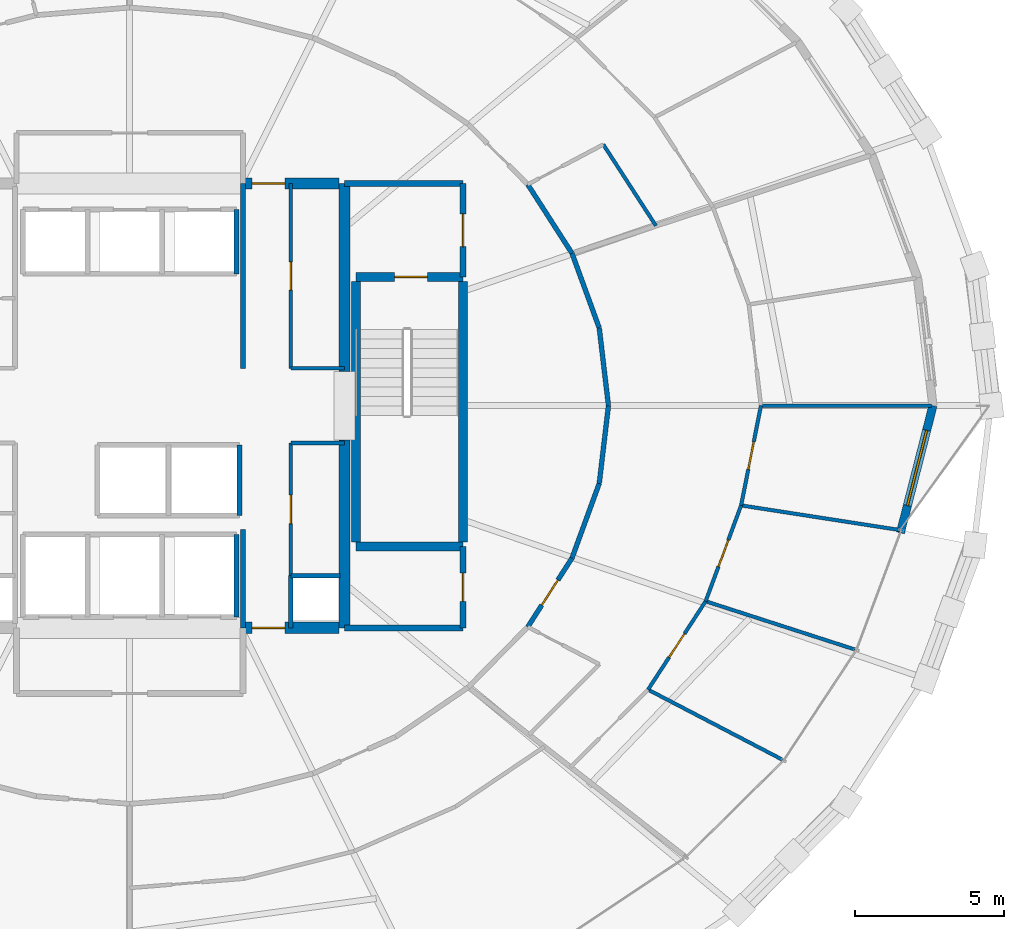
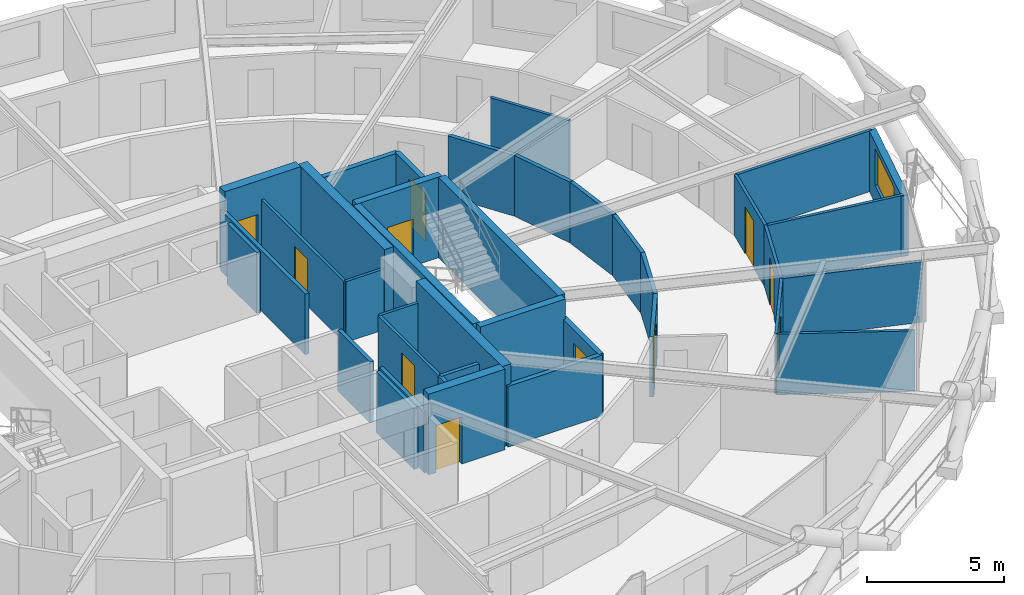
# One storey, part 17 of 23: 38 walls, 11 doors, 1 window, 12 openings.
"""IFC4 building model written with IfcOpenShell, lengths in metres."""

from ifc_helpers import new_model, si_unit, direction, frame, frame_2d, origin, place, context, subcontext, project, spatial, rectangle, extrude, material, layer, layer_set, type_object, element, fill, save


model = new_model("IFC4")

# Units and contexts
model_context = context("Model", 3, precision=1e-05, world=origin(), true_north=direction((0.0, 1.0)))
body_context = subcontext(model_context, "Body", "Model", "MODEL_VIEW")
ifc_project = project(units=[si_unit("LENGTHUNIT", "METRE"), si_unit("AREAUNIT", "SQUARE_METRE"), si_unit("VOLUMEUNIT", "CUBIC_METRE"), si_unit("PLANEANGLEUNIT", "RADIAN"), si_unit("MASSUNIT", "GRAM", prefix="KILO")], contexts=[model_context])

# Site, building, storey
site_placement = place(None, origin())
site = spatial("IfcSite", under=ifc_project, at=site_placement, CompositionType="ELEMENT")
building_placement = place(site_placement, origin())
building = spatial("IfcBuilding", under=site, at=building_placement, Name="Veldorina Hangang Commons", CompositionType="ELEMENT")
storey_placement = place(building_placement, frame((0.0, 0.0, 95.199951171875)))
storey = spatial("IfcBuildingStorey", under=building, at=storey_placement, Name="L24", CompositionType="ELEMENT", Elevation=95.199951171875)

# Walls
ifc_material_1 = material(Name="Concrete C70/85", Category="concrete")
ifc_layer_1 = layer(ifc_material_1, 0.3798828125)
ifc_layer_set_1 = layer_set([ifc_layer_1], Name="Concrete C70/85")
wall_type_1 = type_object("IfcWallType", Name="CW-RC380-C70", PredefinedType="SHEAR", material=ifc_layer_set_1)
for number, where, z_axis, x_axis, name in (
    (1, (39.199951171875, 16.550048828125, 0.0), (0.0, 0.0, 1.0), (0.0, 1.0, 0.0), "L24 E south core shear wall"),
    (2, (39.199951171875, 25.14990234375, 0.0), (0.0, 0.0, 1.0), (0.0, 1.0, 0.0), "L24 E north core shear wall"),
):
    element("IfcWall", number, at=place(storey_placement, frame(where, z_axis=z_axis, x_axis=x_axis)), inside=storey, type_object=wall_type_1, Name=name, PredefinedType="SHEAR", context=body_context, shape_type="SweptSolid", body=[
        extrude(rectangle(XDim=6.300048828125, YDim=0.3798828125, at=frame_2d((3.14990234375, 0.0))), origin(), (0.0, 0.0, 1.0), 3.60009765625),
    ])

# Wall, opening, door
wall_1_placement = place(storey_placement, frame((35.800048828125, 16.550048828125, 0.0), z_axis=(0.0, 0.0, 1.0), x_axis=(1.0, 0.0, 0.0)))
wall_1 = element("IfcWall", 3, at=wall_1_placement, inside=storey, type_object=wall_type_1, Name="L24 south-east core shear wall", PredefinedType="SHEAR", context=body_context, shape_type="SweptSolid", body=[
    extrude(rectangle(XDim=3.2099609375, YDim=0.3798828125, at=frame_2d((1.60498046875, 0.0))), origin(), (0.0, 0.0, 1.0), 3.60009765625),
])
opening_1_placement = place(wall_1_placement, frame((0.300048828125, 0.0, 0.0)))
opening_1 = element("IfcOpeningElement", 4, at=opening_1_placement, cuts=wall_1, Name="Opening D-08", PredefinedType="OPENING", context=body_context, shape_type="SweptSolid", body=[
    extrude(rectangle(XDim=1.10009765625, YDim=2.10009765625, at=frame_2d((0.550048828125, 1.050048828125))), frame((0.0, 0.199951171875, 0.0), z_axis=(0.0, -1.0, 0.0), x_axis=(1.0, 0.0, 0.0)), (0.0, 0.0, 1.0), 0.39990234375),
])
ifc_material_2 = material(Name="Steel Fire-Rated Smoke Seal", Category="steel")
door_type_1 = type_object("IfcDoorType", Name="DR-FIRE-1100", OperationType="SINGLE_SWING_RIGHT", PredefinedType="DOOR", material=ifc_material_2)
door_1_placement = place(opening_1_placement, origin())
door_1 = element("IfcDoor", 5, at=door_1_placement, inside=storey, type_object=door_type_1, Name="L24 central lift lobby south corridor door", OperationType="SINGLE_SWING_RIGHT", OverallHeight=2.10009765625, OverallWidth=1.10009765625, PredefinedType="DOOR", context=body_context, shape_type="SweptSolid", body=[
    extrude(rectangle(XDim=1.10009765625, YDim=2.10009765625, at=frame_2d((0.550048828125, 1.050048828125))), frame((0.0, 0.02490234375, 0.0), z_axis=(0.0, -1.0, 0.0), x_axis=(1.0, 0.0, 0.0)), (0.0, 0.0, 1.0), 0.050048828125),
])
fill(opening_1, door_1)

wall_2_placement = place(storey_placement, frame((35.800048828125, 31.449951171875, 0.0), z_axis=(0.0, 0.0, 1.0), x_axis=(1.0, 0.0, 0.0)))
wall_2 = element("IfcWall", 6, at=wall_2_placement, inside=storey, type_object=wall_type_1, Name="L24 north-east core shear wall", PredefinedType="SHEAR", context=body_context, shape_type="SweptSolid", body=[
    extrude(rectangle(XDim=3.2099609375, YDim=0.3798828125, at=frame_2d((1.60498046875, 0.0))), origin(), (0.0, 0.0, 1.0), 3.60009765625),
])
opening_2_placement = place(wall_2_placement, frame((0.300048828125, 0.0, 0.0)))
opening_2 = element("IfcOpeningElement", 7, at=opening_2_placement, cuts=wall_2, Name="Opening D-08", PredefinedType="OPENING", context=body_context, shape_type="SweptSolid", body=[
    extrude(rectangle(XDim=1.10009765625, YDim=2.10009765625, at=frame_2d((0.550048828125, 1.050048828125))), frame((0.0, 0.199951171875, 0.0), z_axis=(0.0, -1.0, 0.0), x_axis=(1.0, 0.0, 0.0)), (0.0, 0.0, 1.0), 0.39990234375),
])
door_2_placement = place(opening_2_placement, origin())
door_2 = element("IfcDoor", 8, at=door_2_placement, inside=storey, type_object=door_type_1, Name="L24 central lift lobby north corridor door", OperationType="SINGLE_SWING_LEFT", OverallHeight=2.10009765625, OverallWidth=1.10009765625, PredefinedType="DOOR", context=body_context, shape_type="SweptSolid", body=[
    extrude(rectangle(XDim=1.10009765625, YDim=2.10009765625, at=frame_2d((0.550048828125, 1.050048828125))), frame((0.0, 0.02490234375, 0.0), z_axis=(0.0, -1.0, 0.0), x_axis=(1.0, 0.0, 0.0)), (0.0, 0.0, 1.0), 0.050048828125),
])
fill(opening_2, door_2)

# Wall, opening, window
ifc_material_3 = material(Name="Stone Roman Travertine", Category="masonry")
ifc_layer_2 = layer(ifc_material_3, 0.280029296875)
ifc_layer_set_2 = layer_set([ifc_layer_2], Name="Stone Roman Travertine")
wall_type_2 = type_object("IfcWallType", Name="EW-TRAV-280", PredefinedType="STANDARD", material=ifc_layer_set_2)
wall_3_placement = place(storey_placement, frame((57.839599609375, 19.735595703125, 0.0), z_axis=(0.0, 0.0, 1.0), x_axis=(0.247557191203, 0.968873282263, 0.0)))
wall_3 = element("IfcWall", 9, at=wall_3_placement, inside=storey, type_object=wall_type_2, Name="L24 travertine facade wall 31", PredefinedType="STANDARD", context=body_context, shape_type="SweptSolid", body=[
    extrude(rectangle(XDim=4.4013671875, YDim=0.280029296875, at=frame_2d((2.20068359375, 0.0))), origin(), (0.0, 0.0, 1.0), 2.7099609375),
])
opening_3_placement = place(wall_3_placement, frame((0.94677734375, 0.0, 0.800048828125)))
opening_3 = element("IfcOpeningElement", 10, at=opening_3_placement, cuts=wall_3, Name="Opening W-02", PredefinedType="OPENING", context=body_context, shape_type="SweptSolid", body=[
    extrude(rectangle(XDim=2.60009765625, YDim=1.64990234375, at=frame_2d((1.300048828125, 0.824951171875))), frame((0.0, 0.14990234375, 0.0), z_axis=(0.0, -1.0, 0.0), x_axis=(1.0, 0.0, 0.0)), (0.0, 0.0, 1.0), 0.300048828125),
])
ifc_material_4 = material(Name="Glass Low-E Triple IGU", Category="glass")
window_type = type_object("IfcWindowType", Name="WIN-TWR-2600", PartitioningType="SINGLE_PANEL", PredefinedType="WINDOW", material=ifc_material_4)
window_placement = place(opening_3_placement, origin())
window = element("IfcWindow", 11, at=window_placement, inside=storey, type_object=window_type, Name="L24 facade window 31", OverallHeight=1.64990234375, OverallWidth=2.60009765625, PartitioningType="SINGLE_PANEL", PredefinedType="WINDOW", context=body_context, shape_type="SweptSolid", body=[
    extrude(rectangle(XDim=2.60009765625, YDim=1.64990234375, at=frame_2d((1.300048828125, 0.824951171875))), frame((0.0, 0.030029296875, 0.0), z_axis=(0.0, -1.0, 0.0), x_axis=(1.0, 0.0, 0.0)), (0.0, 0.0, 1.0), 0.06005859375),
])
fill(opening_3, window)

# Walls
ifc_material_5 = material(Name="Concrete C50/60", Category="concrete")
ifc_layer_3 = layer(ifc_material_5, 0.300048828125)
ifc_layer_set_3 = layer_set([ifc_layer_3], Name="Concrete C50/60")
wall_type_3 = type_object("IfcWallType", Name="SW-STAIR-300", PredefinedType="SHEAR", material=ifc_layer_set_3)
for number, where, z_axis, x_axis, name in (
    (12, (43.179931640625, 19.429931640625, 0.0), (0.0, 0.0, 1.0), (0.0, 1.0, 0.0), "L24 ST2 outer stair shear wall"),
    (13, (39.580078125, 19.429931640625, 0.0), (0.0, 0.0, 1.0), (0.0, 1.0, 0.0), "L24 ST2 inner stair shear wall"),
):
    element("IfcWall", number, at=place(storey_placement, frame(where, z_axis=z_axis, x_axis=x_axis)), inside=storey, type_object=wall_type_3, Name=name, PredefinedType="SHEAR", context=body_context, shape_type="SweptSolid", body=[
        extrude(rectangle(XDim=8.739990234375, YDim=0.300048828125, at=frame_2d((4.3701171875, 0.0))), origin(), (0.0, 0.0, 1.0), 3.60009765625),
    ])
wall_4_placement = place(storey_placement, frame((39.580078125, 19.280029296875, 0.0), z_axis=(0.0, 0.0, 1.0), x_axis=(1.0, 0.0, 0.0)))
element("IfcWall", 14, at=wall_4_placement, inside=storey, type_object=wall_type_3, Name="L24 ST2 south stair shear wall", PredefinedType="SHEAR", context=body_context, shape_type="SweptSolid", body=[
    extrude(rectangle(XDim=3.599853515625, YDim=0.300048828125, at=frame_2d((1.7998046875, 0.0))), origin(), (0.0, 0.0, 1.0), 3.60009765625),
])

# Wall, opening, door
wall_5_placement = place(storey_placement, frame((39.580078125, 28.320068359375, 0.0), z_axis=(0.0, 0.0, 1.0), x_axis=(1.0, 0.0, 0.0)))
wall_5 = element("IfcWall", 15, at=wall_5_placement, inside=storey, type_object=wall_type_3, Name="L24 ST2 north stair shear wall", PredefinedType="SHEAR", context=body_context, shape_type="SweptSolid", body=[
    extrude(rectangle(XDim=3.599853515625, YDim=0.300048828125, at=frame_2d((1.7998046875, 0.0))), origin(), (0.0, 0.0, 1.0), 3.60009765625),
])
opening_4_placement = place(wall_5_placement, frame((1.300048828125, 0.0, 0.0)))
opening_4 = element("IfcOpeningElement", 16, at=opening_4_placement, cuts=wall_5, Name="Opening D-08", PredefinedType="OPENING", context=body_context, shape_type="SweptSolid", body=[
    extrude(rectangle(XDim=1.10009765625, YDim=2.10009765625, at=frame_2d((0.550048828125, 1.050048828125))), frame((0.0, 0.16015625, 0.0), z_axis=(0.0, -1.0, 0.0), x_axis=(1.0, 0.0, 0.0)), (0.0, 0.0, 1.0), 0.320068359375),
])
door_3_placement = place(opening_4_placement, origin())
door_3 = element("IfcDoor", 17, at=door_3_placement, inside=storey, type_object=door_type_1, Name="L24 Special Escape Stair ST-2 door", OperationType="SINGLE_SWING_RIGHT", OverallHeight=2.10009765625, OverallWidth=1.10009765625, PredefinedType="DOOR", context=body_context, shape_type="SweptSolid", body=[
    extrude(rectangle(XDim=1.10009765625, YDim=2.10009765625, at=frame_2d((0.550048828125, 1.050048828125))), frame((0.0, 0.02490234375, 0.0), z_axis=(0.0, -1.0, 0.0), x_axis=(1.0, 0.0, 0.0)), (0.0, 0.0, 1.0), 0.050048828125),
])
fill(opening_4, door_3)

# Walls
ifc_material_6 = material(Name="Gypsum Fire-Rated Twin Stud Wall", Category="gypsum")
ifc_layer_4 = layer(ifc_material_6, 0.159912109375)
ifc_layer_set_4 = layer_set([ifc_layer_4], Name="Gypsum Fire-Rated Twin Stud Wall")
wall_type_4 = type_object("IfcWallType", Name="WL-FIRE-160", PredefinedType="SOLIDWALL", material=ifc_layer_set_4)
wall_6_placement = place(storey_placement, frame((35.800048828125, 16.550048828125, 0.0), z_axis=(0.0, 0.0, 1.0), x_axis=(0.0, 1.0, 0.0)))
element("IfcWall", 18, at=wall_6_placement, inside=storey, type_object=wall_type_4, Name="L24 Lift passage SW wall 009", PredefinedType="SOLIDWALL", context=body_context, shape_type="SweptSolid", body=[
    extrude(rectangle(XDim=3.300048828125, YDim=0.159912109375, at=frame_2d((1.64990234375, 0.0))), origin(), (0.0, 0.0, 1.0), 2.7099609375),
])
wall_7_placement = place(storey_placement, frame((37.39990234375, 16.550048828125, 0.0), z_axis=(0.0, 0.0, 1.0), x_axis=(0.0, 1.0, 0.0)))
element("IfcWall", 19, at=wall_7_placement, inside=storey, type_object=wall_type_4, Name="L24 Lift passage SE stub 010", PredefinedType="SOLIDWALL", context=body_context, shape_type="SweptSolid", body=[
    extrude(rectangle(XDim=1.75, YDim=0.159912109375, at=frame_2d((0.875, 0.0))), origin(), (0.0, 0.0, 1.0), 2.7099609375),
])
wall_8_placement = place(storey_placement, frame((35.800048828125, 25.25, 0.0), z_axis=(0.0, 0.0, 1.0), x_axis=(0.0, 1.0, 0.0)))
element("IfcWall", 20, at=wall_8_placement, inside=storey, type_object=wall_type_4, Name="L24 Lift passage NW wall 011", PredefinedType="SOLIDWALL", context=body_context, shape_type="SweptSolid", body=[
    extrude(rectangle(XDim=6.199951171875, YDim=0.159912109375, at=frame_2d((3.10009765625, 0.0))), origin(), (0.0, 0.0, 1.0), 2.7099609375),
])
wall_9_placement = place(storey_placement, frame((35.580078125, 28.419921875, 0.0), z_axis=(0.0, 0.0, 1.0), x_axis=(0.0, 1.0, 0.0)))
element("IfcWall", 21, at=wall_9_placement, inside=storey, type_object=wall_type_4, Name="L24 PL-L3 east shaft wall 020", PredefinedType="SOLIDWALL", context=body_context, shape_type="SweptSolid", body=[
    extrude(rectangle(XDim=2.16015625, YDim=0.159912109375, at=frame_2d((1.080078125, 0.0))), origin(), (0.0, 0.0, 1.0), 2.7099609375),
])
wall_10_placement = place(storey_placement, frame((35.679931640625, 20.320068359375, 0.0), z_axis=(0.0, 0.0, 1.0), x_axis=(0.0, 1.0, 0.0)))
element("IfcWall", 22, at=wall_10_placement, inside=storey, type_object=wall_type_4, Name="L24 SL-2 east shaft wall 025", PredefinedType="SOLIDWALL", context=body_context, shape_type="SweptSolid", body=[
    extrude(rectangle(XDim=2.35986328125, YDim=0.159912109375, at=frame_2d((1.179931640625, 0.0))), origin(), (0.0, 0.0, 1.0), 2.7099609375),
])
wall_11_placement = place(storey_placement, frame((35.580078125, 16.919921875, 0.0), z_axis=(0.0, 0.0, 1.0), x_axis=(0.0, 1.0, 0.0)))
element("IfcWall", 23, at=wall_11_placement, inside=storey, type_object=wall_type_4, Name="L24 EVL-1 east shaft wall 031", PredefinedType="SOLIDWALL", context=body_context, shape_type="SweptSolid", body=[
    extrude(rectangle(XDim=2.760009765625, YDim=0.159912109375, at=frame_2d((1.3798828125, 0.0))), origin(), (0.0, 0.0, 1.0), 2.7099609375),
])
wall_12_placement = place(storey_placement, frame((37.39990234375, 18.300048828125, 0.0), z_axis=(0.0, 0.0, 1.0), x_axis=(1.0, 0.0, 0.0)))
element("IfcWall", 24, at=wall_12_placement, inside=storey, type_object=wall_type_4, Name="L24 Plumbing riser wall 037", PredefinedType="SOLIDWALL", context=body_context, shape_type="SweptSolid", body=[
    extrude(rectangle(XDim=1.650146484375, YDim=0.159912109375, at=frame_2d((0.8251953125, 0.0))), origin(), (0.0, 0.0, 1.0), 2.7099609375),
])
wall_13_placement = place(storey_placement, frame((48.050048828125, 24.0, 0.0), z_axis=(0.0, 0.0, 1.0), x_axis=(-0.117570353762, 0.993064555765, 0.0)))
element("IfcWall", 25, at=wall_13_placement, inside=storey, type_object=wall_type_4, Name="L24 Corridor outer wall 00 048", PredefinedType="SOLIDWALL", context=body_context, shape_type="SweptSolid", body=[
    extrude(rectangle(XDim=2.622802734375, YDim=0.159912109375, at=frame_2d((1.3115234375, 0.0))), origin(), (0.0, 0.0, 1.0), 2.7099609375),
])
wall_14_placement = place(storey_placement, frame((47.74169921875, 26.6044921875, 0.0), z_axis=(0.0, 0.0, 1.0), x_axis=(-0.342617982381, 0.939474809747, 0.0)))
element("IfcWall", 26, at=wall_14_placement, inside=storey, type_object=wall_type_4, Name="L24 Corridor outer wall 01 049", PredefinedType="SOLIDWALL", context=body_context, shape_type="SweptSolid", body=[
    extrude(rectangle(XDim=2.665771484375, YDim=0.159912109375, at=frame_2d((1.3330078125, 0.0))), origin(), (0.0, 0.0, 1.0), 2.7099609375),
])
wall_15_placement = place(storey_placement, frame((46.828369140625, 29.10888671875, 0.0), z_axis=(0.0, 0.0, 1.0), x_axis=(-0.540595670038, 0.841282545603, 0.0)))
element("IfcWall", 27, at=wall_15_placement, inside=storey, type_object=wall_type_4, Name="L24 Corridor outer wall 02 050", PredefinedType="SOLIDWALL", context=body_context, shape_type="SweptSolid", body=[
    extrude(rectangle(XDim=2.74365234375, YDim=0.159912109375, at=frame_2d((1.371826171875, 0.0))), origin(), (0.0, 0.0, 1.0), 2.7099609375),
])

# Wall, opening, door
wall_16_placement = place(storey_placement, frame((45.34521484375, 16.5830078125, 0.0), z_axis=(0.0, 0.0, 1.0), x_axis=(0.540595670038, 0.841282545603, 0.0)))
wall_16 = element("IfcWall", 28, at=wall_16_placement, inside=storey, type_object=wall_type_4, Name="L24 Corridor outer wall 29 077", PredefinedType="SOLIDWALL", context=body_context, shape_type="SweptSolid", body=[
    extrude(rectangle(XDim=2.74365234375, YDim=0.159912109375, at=frame_2d((1.371826171875, 0.0))), origin(), (0.0, 0.0, 1.0), 2.7099609375),
])
opening_5_placement = place(wall_16_placement, frame((0.871826171875, 0.0, 0.0)))
opening_5 = element("IfcOpeningElement", 29, at=opening_5_placement, cuts=wall_16, Name="Opening D-06", PredefinedType="OPENING", context=body_context, shape_type="SweptSolid", body=[
    extrude(rectangle(XDim=1.0, YDim=2.10009765625, at=frame_2d((0.5, 1.050048828125))), frame((0.0, 0.08984375, 0.0), z_axis=(0.0, -1.0, 0.0), x_axis=(1.0, 0.0, 0.0)), (0.0, 0.0, 1.0), 0.179931640625),
])
ifc_material_7 = material(Name="Timber Fire-Rated Entrance Core", Category="wood")
door_type_2 = type_object("IfcDoorType", Name="DR-UNIT-1000", OperationType="SINGLE_SWING_LEFT", PredefinedType="DOOR", material=ifc_material_7)
door_4_placement = place(opening_5_placement, origin())
door_4 = element("IfcDoor", 30, at=door_4_placement, inside=storey, type_object=door_type_2, Name="L24 Cluster 2 entrance door 023", OperationType="SINGLE_SWING_LEFT", OverallHeight=2.10009765625, OverallWidth=1.0, PredefinedType="DOOR", context=body_context, shape_type="SweptSolid", body=[
    extrude(rectangle(XDim=1.0, YDim=2.10009765625, at=frame_2d((0.5, 1.050048828125))), frame((0.0, 0.02490234375, 0.0), z_axis=(0.0, -1.0, 0.0), x_axis=(1.0, 0.0, 0.0)), (0.0, 0.0, 1.0), 0.050048828125),
])
fill(opening_5, door_4)

# Walls
wall_17_placement = place(storey_placement, frame((46.828369140625, 18.89111328125, 0.0), z_axis=(0.0, 0.0, 1.0), x_axis=(0.342617982381, 0.939474809747, 0.0)))
element("IfcWall", 31, at=wall_17_placement, inside=storey, type_object=wall_type_4, Name="L24 Corridor outer wall 30 078", PredefinedType="SOLIDWALL", context=body_context, shape_type="SweptSolid", body=[
    extrude(rectangle(XDim=2.665771484375, YDim=0.159912109375, at=frame_2d((1.3330078125, 0.0))), origin(), (0.0, 0.0, 1.0), 2.7099609375),
])
wall_18_placement = place(storey_placement, frame((47.74169921875, 21.3955078125, 0.0), z_axis=(0.0, 0.0, 1.0), x_axis=(0.117570353762, 0.993064555765, 0.0)))
element("IfcWall", 32, at=wall_18_placement, inside=storey, type_object=wall_type_4, Name="L24 Corridor outer wall 31 079", PredefinedType="SOLIDWALL", context=body_context, shape_type="SweptSolid", body=[
    extrude(rectangle(XDim=2.622802734375, YDim=0.159912109375, at=frame_2d((1.3115234375, 0.0))), origin(), (0.0, 0.0, 1.0), 2.7099609375),
])

# Wall, opening, door
ifc_material_8 = material(Name="Concrete Blockwork Fire Wall C30/37", Category="masonry")
ifc_layer_5 = layer(ifc_material_8, 0.199951171875)
ifc_layer_set_5 = layer_set([ifc_layer_5], Name="Concrete Blockwork Fire Wall C30/37")
wall_type_5 = type_object("IfcWallType", Name="WL-FIRE-200", PredefinedType="SOLIDWALL", material=ifc_layer_set_5)
wall_19_placement = place(storey_placement, frame((43.179931640625, 28.320068359375, 0.0), z_axis=(0.0, 0.0, 1.0), x_axis=(0.0, 1.0, 0.0)))
wall_19 = element("IfcWall", 33, at=wall_19_placement, inside=storey, type_object=wall_type_5, Name="L24 East vestibule outer wall 003", PredefinedType="SOLIDWALL", context=body_context, shape_type="SweptSolid", body=[
    extrude(rectangle(XDim=3.1298828125, YDim=0.199951171875, at=frame_2d((1.56494140625, 0.0))), origin(), (0.0, 0.0, 1.0), 2.7099609375),
])
opening_6_placement = place(wall_19_placement, frame((1.014892578125, 0.0, 0.0)))
opening_6 = element("IfcOpeningElement", 34, at=opening_6_placement, cuts=wall_19, Name="Opening D-08", PredefinedType="OPENING", context=body_context, shape_type="SweptSolid", body=[
    extrude(rectangle(XDim=1.10009765625, YDim=2.10009765625, at=frame_2d((0.550048828125, 1.050048828125))), frame((0.0, 0.10986328125, 0.0), z_axis=(0.0, -1.0, 0.0), x_axis=(1.0, 0.0, 0.0)), (0.0, 0.0, 1.0), 0.219970703125),
])
door_5_placement = place(opening_6_placement, origin())
door_5 = element("IfcDoor", 35, at=door_5_placement, inside=storey, type_object=door_type_1, Name="L24 East vestibule east door 002", OperationType="SINGLE_SWING_RIGHT", OverallHeight=2.10009765625, OverallWidth=1.10009765625, PredefinedType="DOOR", context=body_context, shape_type="SweptSolid", body=[
    extrude(rectangle(XDim=1.10009765625, YDim=2.10009765625, at=frame_2d((0.550048828125, 1.050048828125))), frame((0.0, 0.02490234375, 0.0), z_axis=(0.0, -1.0, 0.0), x_axis=(1.0, 0.0, 0.0)), (0.0, 0.0, 1.0), 0.050048828125),
])
fill(opening_6, door_5)

# Wall
wall_20_placement = place(storey_placement, frame((39.199951171875, 31.449951171875, 0.0), z_axis=(0.0, 0.0, 1.0), x_axis=(1.0, 0.0, 0.0)))
element("IfcWall", 36, at=wall_20_placement, inside=storey, type_object=wall_type_5, Name="L24 East vestibule north wall 004", PredefinedType="SOLIDWALL", context=body_context, shape_type="SweptSolid", body=[
    extrude(rectangle(XDim=3.97998046875, YDim=0.199951171875, at=frame_2d((1.989990234375, 0.0))), origin(), (0.0, 0.0, 1.0), 2.7099609375),
])

# Wall, opening, door
wall_21_placement = place(storey_placement, frame((43.179931640625, 16.550048828125, 0.0), z_axis=(0.0, 0.0, 1.0), x_axis=(0.0, 1.0, 0.0)))
wall_21 = element("IfcWall", 37, at=wall_21_placement, inside=storey, type_object=wall_type_5, Name="L24 SE core room outer wall 007", PredefinedType="SOLIDWALL", context=body_context, shape_type="SweptSolid", body=[
    extrude(rectangle(XDim=2.72998046875, YDim=0.199951171875, at=frame_2d((1.364990234375, 0.0))), origin(), (0.0, 0.0, 1.0), 2.7099609375),
])
opening_7_placement = place(wall_21_placement, frame((0.889892578125, 0.0, 0.0)))
opening_7 = element("IfcOpeningElement", 38, at=opening_7_placement, cuts=wall_21, Name="Opening D-02", PredefinedType="OPENING", context=body_context, shape_type="SweptSolid", body=[
    extrude(rectangle(XDim=0.949951171875, YDim=2.10009765625, at=frame_2d((0.47509765625, 1.050048828125))), frame((0.0, 0.10986328125, 0.0), z_axis=(0.0, -1.0, 0.0), x_axis=(1.0, 0.0, 0.0)), (0.0, 0.0, 1.0), 0.219970703125),
])
ifc_material_9 = material(Name="Timber Solid Core Acoustic", Category="wood")
door_type_3 = type_object("IfcDoorType", Name="DR-INT-950", OperationType="SINGLE_SWING_LEFT", PredefinedType="DOOR", material=ifc_material_9)
door_6_placement = place(opening_7_placement, origin())
door_6 = element("IfcDoor", 39, at=door_6_placement, inside=storey, type_object=door_type_3, Name="L24 SE core WC door 004", OperationType="SINGLE_SWING_RIGHT", OverallHeight=2.10009765625, OverallWidth=0.949951171875, PredefinedType="DOOR", context=body_context, shape_type="SweptSolid", body=[
    extrude(rectangle(XDim=0.949951171875, YDim=2.10009765625, at=frame_2d((0.47509765625, 1.050048828125))), frame((0.0, 0.02490234375, 0.0), z_axis=(0.0, -1.0, 0.0), x_axis=(1.0, 0.0, 0.0)), (0.0, 0.0, 1.0), 0.050048828125),
])
fill(opening_7, door_6)

# Wall
wall_22_placement = place(storey_placement, frame((39.199951171875, 16.550048828125, 0.0), z_axis=(0.0, 0.0, 1.0), x_axis=(1.0, 0.0, 0.0)))
element("IfcWall", 40, at=wall_22_placement, inside=storey, type_object=wall_type_5, Name="L24 SE core room south wall 008", PredefinedType="SOLIDWALL", context=body_context, shape_type="SweptSolid", body=[
    extrude(rectangle(XDim=3.97998046875, YDim=0.199951171875, at=frame_2d((1.989990234375, 0.0))), origin(), (0.0, 0.0, 1.0), 2.7099609375),
])

# Wall, opening, door
ifc_material_10 = material(Name="Gypsum Acoustic Stud Partition", Category="gypsum")
ifc_layer_6 = layer(ifc_material_10, 0.1201171875)
ifc_layer_set_6 = layer_set([ifc_layer_6], Name="Gypsum Acoustic Stud Partition")
wall_type_6 = type_object("IfcWallType", Name="WL-PART-120", PredefinedType="PARTITIONING", material=ifc_layer_set_6)
wall_23_placement = place(storey_placement, frame((37.39990234375, 25.25, 0.0), z_axis=(0.0, 0.0, 1.0), x_axis=(0.0, 1.0, 0.0)))
wall_23 = element("IfcWall", 41, at=wall_23_placement, inside=storey, type_object=wall_type_6, Name="L24 NE strip lobby wall 041", PredefinedType="PARTITIONING", context=body_context, shape_type="SweptSolid", body=[
    extrude(rectangle(XDim=6.199951171875, YDim=0.1201171875, at=frame_2d((3.10009765625, 0.0))), origin(), (0.0, 0.0, 1.0), 2.7099609375),
])
opening_8_placement = place(wall_23_placement, frame((2.625, 0.0, 0.0)))
opening_8 = element("IfcOpeningElement", 42, at=opening_8_placement, cuts=wall_23, Name="Opening D-02", PredefinedType="OPENING", context=body_context, shape_type="SweptSolid", body=[
    extrude(rectangle(XDim=0.949951171875, YDim=2.10009765625, at=frame_2d((0.47509765625, 1.050048828125))), frame((0.0, 0.070068359375, 0.0), z_axis=(0.0, -1.0, 0.0), x_axis=(1.0, 0.0, 0.0)), (0.0, 0.0, 1.0), 0.14013671875),
])
door_7_placement = place(opening_8_placement, origin())
door_7 = element("IfcDoor", 43, at=door_7_placement, inside=storey, type_object=door_type_3, Name="L24 Switchboard door 018", OperationType="SINGLE_SWING_RIGHT", OverallHeight=2.10009765625, OverallWidth=0.949951171875, PredefinedType="DOOR", context=body_context, shape_type="SweptSolid", body=[
    extrude(rectangle(XDim=0.949951171875, YDim=2.10009765625, at=frame_2d((0.47509765625, 1.050048828125))), frame((0.0, 0.02490234375, 0.0), z_axis=(0.0, -1.0, 0.0), x_axis=(1.0, 0.0, 0.0)), (0.0, 0.0, 1.0), 0.050048828125),
])
fill(opening_8, door_7)

# Wall
wall_24_placement = place(storey_placement, frame((37.39990234375, 25.25, 0.0), z_axis=(0.0, 0.0, 1.0), x_axis=(1.0, 0.0, 0.0)))
element("IfcWall", 44, at=wall_24_placement, inside=storey, type_object=wall_type_6, Name="L24 NE strip south return wall 042", PredefinedType="PARTITIONING", context=body_context, shape_type="SweptSolid", body=[
    extrude(rectangle(XDim=1.800048828125, YDim=0.1201171875, at=frame_2d((0.89990234375, 0.0))), origin(), (0.0, 0.0, 1.0), 2.7099609375),
])

# Wall, opening, door
wall_25_placement = place(storey_placement, frame((37.39990234375, 18.300048828125, 0.0), z_axis=(0.0, 0.0, 1.0), x_axis=(0.0, 1.0, 0.0)))
wall_25 = element("IfcWall", 45, at=wall_25_placement, inside=storey, type_object=wall_type_6, Name="L24 SE strip lobby wall 043", PredefinedType="PARTITIONING", context=body_context, shape_type="SweptSolid", body=[
    extrude(rectangle(XDim=4.449951171875, YDim=0.1201171875, at=frame_2d((2.22509765625, 0.0))), origin(), (0.0, 0.0, 1.0), 2.7099609375),
])
opening_9_placement = place(wall_25_placement, frame((1.75, 0.0, 0.0)))
opening_9 = element("IfcOpeningElement", 46, at=opening_9_placement, cuts=wall_25, Name="Opening D-02", PredefinedType="OPENING", context=body_context, shape_type="SweptSolid", body=[
    extrude(rectangle(XDim=0.949951171875, YDim=2.10009765625, at=frame_2d((0.47509765625, 1.050048828125))), frame((0.0, 0.070068359375, 0.0), z_axis=(0.0, -1.0, 0.0), x_axis=(1.0, 0.0, 0.0)), (0.0, 0.0, 1.0), 0.14013671875),
])
door_8_placement = place(opening_9_placement, origin())
door_8 = element("IfcDoor", 47, at=door_8_placement, inside=storey, type_object=door_type_3, Name="L24 Telemetry door 019", OperationType="SINGLE_SWING_LEFT", OverallHeight=2.10009765625, OverallWidth=0.949951171875, PredefinedType="DOOR", context=body_context, shape_type="SweptSolid", body=[
    extrude(rectangle(XDim=0.949951171875, YDim=2.10009765625, at=frame_2d((0.47509765625, 1.050048828125))), frame((0.0, 0.02490234375, 0.0), z_axis=(0.0, -1.0, 0.0), x_axis=(1.0, 0.0, 0.0)), (0.0, 0.0, 1.0), 0.050048828125),
])
fill(opening_9, door_8)

# Wall
wall_26_placement = place(storey_placement, frame((37.39990234375, 22.75, 0.0), z_axis=(0.0, 0.0, 1.0), x_axis=(1.0, 0.0, 0.0)))
element("IfcWall", 48, at=wall_26_placement, inside=storey, type_object=wall_type_6, Name="L24 SE strip north return wall 044", PredefinedType="PARTITIONING", context=body_context, shape_type="SweptSolid", body=[
    extrude(rectangle(XDim=1.800048828125, YDim=0.1201171875, at=frame_2d((0.89990234375, 0.0))), origin(), (0.0, 0.0, 1.0), 2.7099609375),
])

# Wall, opening, door
wall_27_placement = place(storey_placement, frame((49.377685546875, 14.48046875, 0.0), z_axis=(0.0, 0.0, 1.0), x_axis=(0.546147739328, 0.837688872331, 0.0)))
wall_27 = element("IfcWall", 49, at=wall_27_placement, inside=storey, type_object=wall_type_6, Name="L24 Cluster 2 bed 2 front wall 089", PredefinedType="PARTITIONING", context=body_context, shape_type="SweptSolid", body=[
    extrude(rectangle(XDim=3.536376953125, YDim=0.1201171875, at=frame_2d((1.76806640625, 0.0))), origin(), (0.0, 0.0, 1.0), 2.7099609375),
])
opening_10_placement = place(wall_27_placement, frame((1.293212890625, 0.0, 0.0)))
opening_10 = element("IfcOpeningElement", 50, at=opening_10_placement, cuts=wall_27, Name="Opening D-02", PredefinedType="OPENING", context=body_context, shape_type="SweptSolid", body=[
    extrude(rectangle(XDim=0.949951171875, YDim=2.10009765625, at=frame_2d((0.47509765625, 1.050048828125))), frame((0.0, 0.070068359375, 0.0), z_axis=(0.0, -1.0, 0.0), x_axis=(1.0, 0.0, 0.0)), (0.0, 0.0, 1.0), 0.14013671875),
])
door_9_placement = place(opening_10_placement, origin())
door_9 = element("IfcDoor", 51, at=door_9_placement, inside=storey, type_object=door_type_3, Name="L24 Cluster 2 bed 2 door 025", OperationType="SINGLE_SWING_LEFT", OverallHeight=2.10009765625, OverallWidth=0.949951171875, PredefinedType="DOOR", context=body_context, shape_type="SweptSolid", body=[
    extrude(rectangle(XDim=0.949951171875, YDim=2.10009765625, at=frame_2d((0.47509765625, 1.050048828125))), frame((0.0, 0.02490234375, 0.0), z_axis=(0.0, -1.0, 0.0), x_axis=(1.0, 0.0, 0.0)), (0.0, 0.0, 1.0), 0.050048828125),
])
fill(opening_10, door_9)

# Wall
wall_28_placement = place(storey_placement, frame((49.377685546875, 14.48046875, 0.0), z_axis=(0.0, 0.0, 1.0), x_axis=(0.886712531702, -0.462321193677, 0.0)))
element("IfcWall", 52, at=wall_28_placement, inside=storey, type_object=wall_type_6, Name="L24 Cluster 2 bed divider 1 090", PredefinedType="PARTITIONING", context=body_context, shape_type="SweptSolid", body=[
    extrude(rectangle(XDim=5.07861328125, YDim=0.1201171875, at=frame_2d((2.539306640625, 0.0))), origin(), (0.0, 0.0, 1.0), 2.7099609375),
])

# Wall, opening, door
wall_29_placement = place(storey_placement, frame((51.30908203125, 17.44287109375, 0.0), z_axis=(0.0, 0.0, 1.0), x_axis=(0.346982565857, 0.937871579157, 0.0)))
wall_29 = element("IfcWall", 53, at=wall_29_placement, inside=storey, type_object=wall_type_6, Name="L24 Cluster 2 bed 3 front wall 091", PredefinedType="PARTITIONING", context=body_context, shape_type="SweptSolid", body=[
    extrude(rectangle(XDim=3.42724609375, YDim=0.1201171875, at=frame_2d((1.713623046875, 0.0))), origin(), (0.0, 0.0, 1.0), 2.7099609375),
])
opening_11_placement = place(wall_29_placement, frame((1.238525390625, 0.0, 0.0)))
opening_11 = element("IfcOpeningElement", 54, at=opening_11_placement, cuts=wall_29, Name="Opening D-02", PredefinedType="OPENING", context=body_context, shape_type="SweptSolid", body=[
    extrude(rectangle(XDim=0.949951171875, YDim=2.10009765625, at=frame_2d((0.47509765625, 1.050048828125))), frame((0.0, 0.070068359375, 0.0), z_axis=(0.0, -1.0, 0.0), x_axis=(1.0, 0.0, 0.0)), (0.0, 0.0, 1.0), 0.14013671875),
])
door_10_placement = place(opening_11_placement, origin())
door_10 = element("IfcDoor", 55, at=door_10_placement, inside=storey, type_object=door_type_3, Name="L24 Cluster 2 bed 3 door 026", OperationType="SINGLE_SWING_RIGHT", OverallHeight=2.10009765625, OverallWidth=0.949951171875, PredefinedType="DOOR", context=body_context, shape_type="SweptSolid", body=[
    extrude(rectangle(XDim=0.949951171875, YDim=2.10009765625, at=frame_2d((0.47509765625, 1.050048828125))), frame((0.0, 0.02490234375, 0.0), z_axis=(0.0, -1.0, 0.0), x_axis=(1.0, 0.0, 0.0)), (0.0, 0.0, 1.0), 0.050048828125),
])
fill(opening_11, door_10)

# Wall
wall_30_placement = place(storey_placement, frame((51.30908203125, 17.44287109375, 0.0), z_axis=(0.0, 0.0, 1.0), x_axis=(0.951535233645, -0.307539752116, 0.0)))
element("IfcWall", 56, at=wall_30_placement, inside=storey, type_object=wall_type_6, Name="L24 Cluster 2 bed divider 2 092", PredefinedType="PARTITIONING", context=body_context, shape_type="SweptSolid", body=[
    extrude(rectangle(XDim=5.260009765625, YDim=0.1201171875, at=frame_2d((2.6298828125, 0.0))), origin(), (0.0, 0.0, 1.0), 2.7099609375),
])

# Wall, opening, door
wall_31_placement = place(storey_placement, frame((52.498291015625, 20.6572265625, 0.0), z_axis=(0.0, 0.0, 1.0), x_axis=(0.195055308321, 0.980792244411, 0.0)))
wall_31 = element("IfcWall", 57, at=wall_31_placement, inside=storey, type_object=wall_type_6, Name="L24 Cluster 2 bed 4 front wall 093", PredefinedType="PARTITIONING", context=body_context, shape_type="SweptSolid", body=[
    extrude(rectangle(XDim=3.408203125, YDim=0.1201171875, at=frame_2d((1.7041015625, 0.0))), origin(), (0.0, 0.0, 1.0), 2.7099609375),
])
opening_12_placement = place(wall_31_placement, frame((1.229248046875, 0.0, 0.0)))
opening_12 = element("IfcOpeningElement", 58, at=opening_12_placement, cuts=wall_31, Name="Opening D-02", PredefinedType="OPENING", context=body_context, shape_type="SweptSolid", body=[
    extrude(rectangle(XDim=0.949951171875, YDim=2.10009765625, at=frame_2d((0.47509765625, 1.050048828125))), frame((0.0, 0.070068359375, 0.0), z_axis=(0.0, -1.0, 0.0), x_axis=(1.0, 0.0, 0.0)), (0.0, 0.0, 1.0), 0.14013671875),
])
door_11_placement = place(opening_12_placement, origin())
door_11 = element("IfcDoor", 59, at=door_11_placement, inside=storey, type_object=door_type_3, Name="L24 Cluster 2 bed 4 door 027", OperationType="SINGLE_SWING_LEFT", OverallHeight=2.10009765625, OverallWidth=0.949951171875, PredefinedType="DOOR", context=body_context, shape_type="SweptSolid", body=[
    extrude(rectangle(XDim=0.949951171875, YDim=2.10009765625, at=frame_2d((0.47509765625, 1.050048828125))), frame((0.0, 0.02490234375, 0.0), z_axis=(0.0, -1.0, 0.0), x_axis=(1.0, 0.0, 0.0)), (0.0, 0.0, 1.0), 0.050048828125),
])
fill(opening_12, door_11)

# Walls
wall_32_placement = place(storey_placement, frame((52.498291015625, 20.6572265625, 0.0), z_axis=(0.0, 0.0, 1.0), x_axis=(0.988166668321, -0.153383948379, 0.0)))
element("IfcWall", 60, at=wall_32_placement, inside=storey, type_object=wall_type_6, Name="L24 Cluster 2 bed divider 3 094", PredefinedType="PARTITIONING", context=body_context, shape_type="SweptSolid", body=[
    extrude(rectangle(XDim=5.37841796875, YDim=0.1201171875, at=frame_2d((2.689208984375, 0.0))), origin(), (0.0, 0.0, 1.0), 2.7099609375),
])
wall_33_placement = place(storey_placement, frame((53.1630859375, 24.0, 0.0), z_axis=(0.0, 0.0, 1.0), x_axis=(1.0, 0.0, 0.0)))
element("IfcWall", 61, at=wall_33_placement, inside=storey, type_object=wall_type_6, Name="L24 Cluster 2 bed divider 4 096", PredefinedType="PARTITIONING", context=body_context, shape_type="SweptSolid", body=[
    extrude(rectangle(XDim=5.716064453125, YDim=0.1201171875, at=frame_2d((2.85791015625, 0.0))), origin(), (0.0, 0.0, 1.0), 2.7099609375),
])
wall_34_placement = place(storey_placement, frame((49.642578125, 30.031494140625, 0.0), z_axis=(0.0, 0.0, 1.0), x_axis=(-0.54354434096, 0.8393804557, 0.0)))
element("IfcWall", 62, at=wall_34_placement, inside=storey, type_object=wall_type_6, Name="L24 Cluster 3 bath front wall 100", PredefinedType="PARTITIONING", context=body_context, shape_type="SweptSolid", body=[
    extrude(rectangle(XDim=3.24658203125, YDim=0.1201171875, at=frame_2d((1.623291015625, 0.0))), origin(), (0.0, 0.0, 1.0), 2.7099609375),
])

save(model, "model.ifc")
